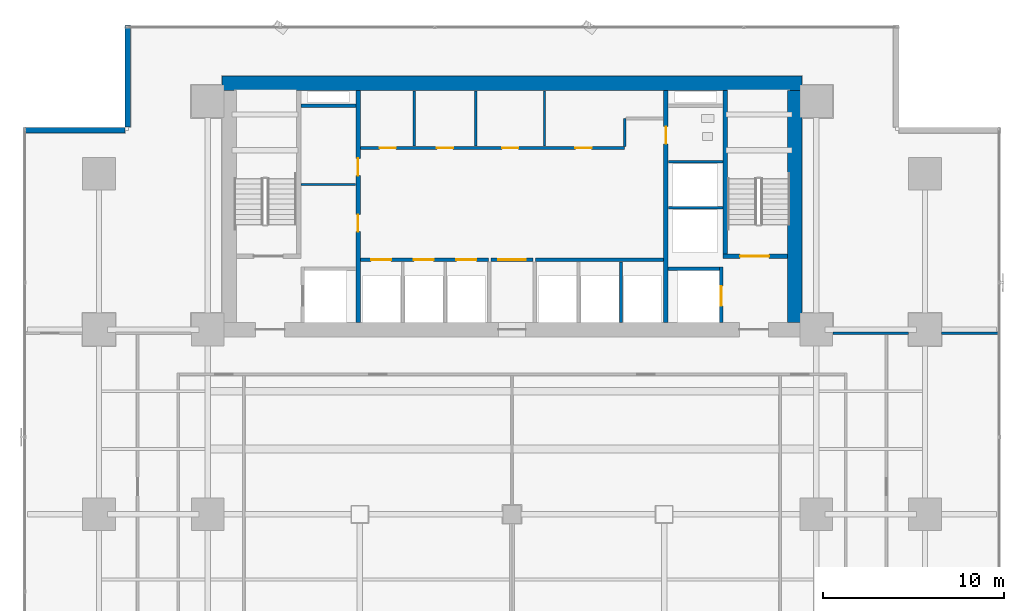
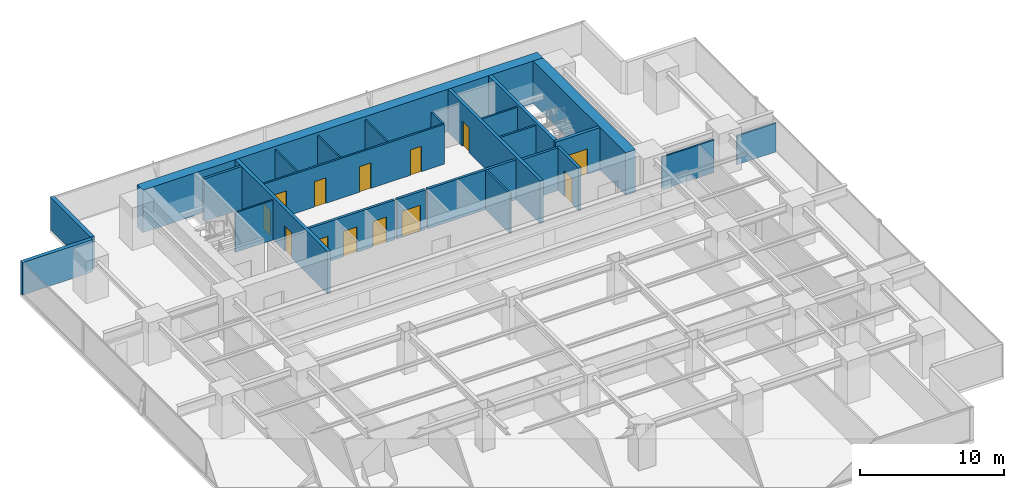
# One storey, part 26 of 34: 25 walls, 13 doors, 13 openings.
"""IFC4 building model written with IfcOpenShell, lengths in metres."""

import ifcopenshell
import ifcopenshell.guid

model = None  # the IFC model being written
_history = None  # IfcOwnerHistory: only IFC2X3 demands one
_inside = {}  # id of a spatial element -> (the spatial element, [elements in it])
_under = {}  # id of a project, library or spatial element -> (it, [spatial elements below it])
_declared = {}  # id of a project -> (the project, [libraries it declares])
_typed = {}  # id of a type object -> (the type object, [elements of that type])
_made_of = {}  # id of a material, layer set ... -> (it, [elements and type objects made of it])


def new_model(schema):
    """Start an empty IFC model of exactly this schema.

    Asked for "IFC4X3", IfcOpenShell would pick the latest addendum, in which some entities
    have other attributes; the version numbers below select the first issue.
    IFC2X3 requires an IfcOwnerHistory on every rooted entity: one is made here for all.
    """
    global model, _history
    if schema == "IFC4X3":
        model = ifcopenshell.file(schema_version=(4, 3, 0, 0))
    else:
        model = ifcopenshell.file(schema=schema)
    _inside.clear()
    _under.clear()
    _declared.clear()
    _typed.clear()
    _made_of.clear()
    _history = None
    if model.schema == "IFC2X3":
        org = make("IfcOrganization", Name="unknown")
        user = make(
            "IfcPersonAndOrganization",
            ThePerson=make("IfcPerson", FamilyName="unknown"),
            TheOrganization=org,
        )
        app = make(
            "IfcApplication",
            ApplicationDeveloper=org,
            Version="unknown",
            ApplicationFullName="unknown",
            ApplicationIdentifier="unknown",
        )
        _history = make(
            "IfcOwnerHistory",
            OwningUser=user,
            OwningApplication=app,
            ChangeAction="ADDED",
            CreationDate=0,
        )
    return model


def make(cls, **values):
    """One entity of the class cls with the attributes given. An attribute that is None is left unset."""
    return model.create_entity(
        cls, **{name: value for name, value in values.items() if value is not None}
    )


def rooted(cls, **values):
    """An entity with a GlobalId (a new one), such as an element, a storey or a relation."""
    return make(cls, GlobalId=ifcopenshell.guid.new(), OwnerHistory=_history, **values)


def si_unit(unit_type, name, prefix=None):
    """IfcSIUnit, for example si_unit("LENGTHUNIT", "METRE", prefix="MILLI")."""
    return make("IfcSIUnit", UnitType=unit_type, Prefix=prefix, Name=name)


def assignment(units):
    """IfcUnitAssignment: the units of a project."""
    return None if units is None else make("IfcUnitAssignment", Units=units)


def point(xyz):
    """IfcCartesianPoint."""
    return None if xyz is None else make("IfcCartesianPoint", Coordinates=xyz)


def direction(xyz):
    """IfcDirection."""
    return None if xyz is None else make("IfcDirection", DirectionRatios=xyz)


def frame(location, z_axis=None, x_axis=None):
    """IfcAxis2Placement3D, a coordinate frame: its origin and axes. An axis left out is left unset."""
    return make(
        "IfcAxis2Placement3D",
        Location=point(location),
        Axis=direction(z_axis),
        RefDirection=direction(x_axis),
    )


def frame_2d(location, x_axis=None):
    """IfcAxis2Placement2D, a coordinate frame in the plane: its origin and x axis."""
    return make(
        "IfcAxis2Placement2D", Location=point(location), RefDirection=direction(x_axis)
    )


def origin():
    """The frame at (0, 0, 0) with its axes left unset."""
    return frame((0.0, 0.0, 0.0))


def place(relative_to, where):
    """IfcLocalPlacement: puts the frame where relative to a parent placement (None: the world)."""
    return make(
        "IfcLocalPlacement", PlacementRelTo=relative_to, RelativePlacement=where
    )


def context(
    kind, dimensions, precision=None, world=None, true_north=None, identifier=None
):
    """IfcGeometricRepresentationContext, for example the 3D "Model" context."""
    return make(
        "IfcGeometricRepresentationContext",
        ContextIdentifier=identifier,
        ContextType=kind,
        CoordinateSpaceDimension=dimensions,
        Precision=precision,
        WorldCoordinateSystem=world,
        TrueNorth=true_north,
    )


def subcontext(parent, identifier, kind, view, scale=None):
    """IfcGeometricRepresentationSubContext, for example "Body" below "Model"."""
    return make(
        "IfcGeometricRepresentationSubContext",
        ContextIdentifier=identifier,
        ContextType=kind,
        ParentContext=parent,
        TargetScale=scale,
        TargetView=view,
    )


def project(units=None, contexts=None):
    """IfcProject with its units and contexts."""
    return rooted(
        "IfcProject",
        Name="project",
        RepresentationContexts=contexts,
        UnitsInContext=assignment(units),
    )


def spatial(cls, under=None, at=None, **own):
    """A site, building, storey or space (cls), placed at a placement, below another one or the project."""
    s = rooted(cls, ObjectPlacement=at, **own)
    if under is not None:
        _under.setdefault(under.id(), (under, []))[1].append(s)
    return s


def profile(cls, at=None, kind="AREA", **sizes):
    """A parametric profile (cls). Its sizes go by their IFC names, for example OverallWidth=200.0."""
    return make(cls, ProfileType=kind, Position=at, **sizes)


def rectangle(**sizes):
    """IfcRectangleProfileDef."""
    return profile("IfcRectangleProfileDef", **sizes)


def extrude(swept, where, along, depth):
    """IfcExtrudedAreaSolid: the profile swept, set in the frame where, extruded along a direction by depth."""
    return make(
        "IfcExtrudedAreaSolid",
        SweptArea=swept,
        Position=where,
        ExtrudedDirection=direction(along),
        Depth=depth,
    )


def shape(context_of_items, identifier, shape_type, items):
    """IfcShapeRepresentation: the items that make up one representation, for example the "Body"."""
    return make(
        "IfcShapeRepresentation",
        ContextOfItems=context_of_items,
        RepresentationIdentifier=identifier,
        RepresentationType=shape_type,
        Items=items,
    )


def source(mapping_origin, context_of_items, identifier, shape_type, items):
    """IfcRepresentationMap: a shape defined once, which mapped items show again and again."""
    return make(
        "IfcRepresentationMap",
        MappingOrigin=mapping_origin,
        MappedRepresentation=shape(context_of_items, identifier, shape_type, items),
    )


def transform(
    local_origin,
    x_axis=None,
    y_axis=None,
    z_axis=None,
    scale=None,
    scale2=None,
    scale3=None,
    uniform=True,
):
    """IfcCartesianTransformationOperator3D, or its non-uniform kind. x_axis, y_axis, z_axis: its Axis1, 2, 3."""
    if uniform:
        return make(
            "IfcCartesianTransformationOperator3D",
            Axis1=direction(x_axis),
            Axis2=direction(y_axis),
            LocalOrigin=point(local_origin),
            Scale=scale,
            Axis3=direction(z_axis),
        )
    return make(
        "IfcCartesianTransformationOperator3DnonUniform",
        Axis1=direction(x_axis),
        Axis2=direction(y_axis),
        LocalOrigin=point(local_origin),
        Scale=scale,
        Axis3=direction(z_axis),
        Scale2=scale2,
        Scale3=scale3,
    )


def mapped(mapping_source, mapping_target):
    """IfcMappedItem: shows the shape of a source again, moved by a transform."""
    return make(
        "IfcMappedItem", MappingSource=mapping_source, MappingTarget=mapping_target
    )


def material(Name=None, Category=None):
    """IfcMaterial."""
    return make("IfcMaterial", Name=Name, Category=Category)


def layer(
    of_material, thickness, ventilated=None, Name=None, Category=None, Priority=None
):
    """IfcMaterialLayer: one layer of a wall or slab, of a material (None: an air gap)."""
    return make(
        "IfcMaterialLayer",
        Material=of_material,
        LayerThickness=thickness,
        IsVentilated=ventilated,
        Name=Name,
        Category=Category,
        Priority=Priority,
    )


def layer_set(layers, Name=None):
    """IfcMaterialLayerSet."""
    return make("IfcMaterialLayerSet", MaterialLayers=layers, LayerSetName=Name)


def made_of(thing, what):
    """Note that an element or type object is made of a material, layer set ...; save() writes the relation."""
    if what is not None:
        _made_of.setdefault(what.id(), (what, []))[1].append(thing)
    return thing


def type_object(cls, material=None, **own):
    """A type object (cls), such as IfcWallType, which elements share."""
    return made_of(rooted(cls, **own), material)


def element(
    cls,
    number,
    at=None,
    inside=None,
    cuts=None,
    type_object=None,
    material=None,
    context=None,
    identifier="Body",
    shape_type=None,
    held_by="IfcProductDefinitionShape",
    body=None,
    shapes=None,
    **own,
):
    """One element of the class cls, such as IfcWall. Its Tag is "e" and its number.

    at: its placement. inside: the storey or other place that contains it. cuts: it is an
    opening in that element (IfcRelVoidsElement). A single representation is given by context,
    identifier, shape_type and body (its items); several are given by shapes. held_by: the class
    of the entity that holds the representations. save() writes the other relations.
    """
    e = rooted(cls, Tag="e%d" % number, ObjectPlacement=at, **own)
    if body is not None:
        shapes = [shape(context, identifier, shape_type, body)]
    if shapes is not None:
        e.Representation = make(held_by, Representations=shapes)
    if inside is not None:
        _inside.setdefault(inside.id(), (inside, []))[1].append(e)
    if cuts is not None:
        rooted(
            "IfcRelVoidsElement", RelatingBuildingElement=cuts, RelatedOpeningElement=e
        )
    if type_object is not None:
        _typed.setdefault(type_object.id(), (type_object, []))[1].append(e)
    return made_of(e, material)


def fill(opening, filler):
    """IfcRelFillsElement: the door or window that sits in an opening."""
    return rooted(
        "IfcRelFillsElement",
        RelatingOpeningElement=opening,
        RelatedBuildingElement=filler,
    )


def aggregate(whole, parts):
    """IfcRelAggregates: a whole, such as a stair, and the parts it consists of."""
    return rooted("IfcRelAggregates", RelatingObject=whole, RelatedObjects=parts)


def save(model, path):
    """Write the relations noted so far, then the file.

    IfcRelAggregates (storeys below a building ...), IfcRelContainedInSpatialStructure (elements
    in a storey), IfcRelDefinesByType, IfcRelAssociatesMaterial and IfcRelDeclares: one each for
    every whole, place, type object, material and project.
    """
    for whole, parts in _under.values():
        aggregate(whole, parts)
    for where, things in _inside.values():
        rooted(
            "IfcRelContainedInSpatialStructure",
            RelatedElements=things,
            RelatingStructure=where,
        )
    for kind, things in _typed.values():
        rooted("IfcRelDefinesByType", RelatedObjects=things, RelatingType=kind)
    for what, things in _made_of.values():
        rooted("IfcRelAssociatesMaterial", RelatedObjects=things, RelatingMaterial=what)
    for by, libraries in _declared.values():
        rooted("IfcRelDeclares", RelatingContext=by, RelatedDefinitions=libraries)
    model.write(path)


model = new_model("IFC4")

# Units and contexts
model_context = context("Model", 3, precision=1e-05, world=origin(), true_north=direction((0.0, 1.0)))
body_context = subcontext(model_context, "Body", "Model", "MODEL_VIEW")
ifc_project = project(units=[si_unit("LENGTHUNIT", "METRE"), si_unit("AREAUNIT", "SQUARE_METRE"), si_unit("VOLUMEUNIT", "CUBIC_METRE"), si_unit("PLANEANGLEUNIT", "RADIAN"), si_unit("MASSUNIT", "GRAM", prefix="KILO")], contexts=[model_context])

# Site, building, storey
site_placement = place(None, origin())
site = spatial("IfcSite", under=ifc_project, at=site_placement, CompositionType="ELEMENT")
building_placement = place(site_placement, origin())
building = spatial("IfcBuilding", under=site, at=building_placement, Name="Sumidabori Civic Tower", CompositionType="ELEMENT")
storey_placement = place(building_placement, frame((0.0, 0.0, 34.39990234375)))
storey = spatial("IfcBuildingStorey", under=building, at=storey_placement, Name="L08", CompositionType="ELEMENT", Elevation=34.39990234375)

# Walls
ifc_material_1 = material(Name="Concrete C60/75", Category="concrete")
ifc_layer_1 = layer(ifc_material_1, 0.800048828125, Name="Concrete C60/75")
ifc_layer_set_1 = layer_set([ifc_layer_1], Name="Concrete C60/75")
wall_type_1 = type_object("IfcWallType", Name="WL-CORE-800", PredefinedType="SHEAR", material=ifc_layer_set_1)
shared_shape_1 = source(origin(), body_context, "Body", "SweptSolid", [
    extrude(rectangle(XDim=32.0, YDim=0.800048828125, at=frame_2d((16.0, 0.0))), origin(), (0.0, 0.0, 1.0), 3.60009765625),
])
wall_1_placement = place(storey_placement, frame((-16.0, 23.800048828125, 0.0), z_axis=(0.0, 0.0, 1.0), x_axis=(1.0, 0.0, 0.0)))
element("IfcWall", 1, at=wall_1_placement, inside=storey, type_object=wall_type_1, Name="Core Shear Wall L08 N", PredefinedType="SHEAR", context=body_context, shape_type="MappedRepresentation", body=[
    mapped(shared_shape_1, transform((0.0, 0.0, 0.0), x_axis=(1.0, 0.0, 0.0), y_axis=(0.0, 1.0, 0.0), z_axis=(0.0, 0.0, 1.0), scale=1.0)),
])
shared_shape_2 = source(origin(), body_context, "Body", "SweptSolid", [
    extrude(rectangle(XDim=12.7998046875, YDim=0.800048828125, at=frame_2d((6.39990234375, 0.0))), origin(), (0.0, 0.0, 1.0), 3.60009765625),
])
wall_2_placement = place(storey_placement, frame((15.60009765625, 10.60009765625, 0.0), z_axis=(0.0, 0.0, 1.0), x_axis=(0.0, 1.0, 0.0)))
element("IfcWall", 2, at=wall_2_placement, inside=storey, type_object=wall_type_1, Name="Core Shear Wall L08 E", PredefinedType="SHEAR", context=body_context, shape_type="MappedRepresentation", body=[
    mapped(shared_shape_2, transform((0.0, 0.0, 0.0), x_axis=(1.0, 0.0, 0.0), y_axis=(0.0, 1.0, 0.0), z_axis=(0.0, 0.0, 1.0), scale=1.0)),
])

# Wall, openings, doors
ifc_material_2 = material(Name="Concrete C50/60", Category="concrete")
ifc_layer_2 = layer(ifc_material_2, 0.25, Name="Concrete C50/60")
ifc_layer_set_2 = layer_set([ifc_layer_2], Name="Concrete C50/60")
wall_type_2 = type_object("IfcWallType", Name="WL-SHAFT-250", PredefinedType="SHEAR", material=ifc_layer_set_2)
shared_shape_3 = source(origin(), body_context, "Body", "SweptSolid", [
    extrude(rectangle(XDim=12.7998046875, YDim=0.25, at=frame_2d((6.39990234375, 0.0))), origin(), (0.0, 0.0, 1.0), 3.60009765625),
])
wall_3_placement = place(storey_placement, frame((-8.5, 10.60009765625, 0.0), z_axis=(0.0, 0.0, 1.0), x_axis=(0.0, 1.0, 0.0)))
wall_3 = element("IfcWall", 3, at=wall_3_placement, inside=storey, type_object=wall_type_2, Name="Core Shear Wall L08 WEB-W", PredefinedType="SHEAR", context=body_context, shape_type="MappedRepresentation", body=[
    mapped(shared_shape_3, transform((0.0, 0.0, 0.0), x_axis=(1.0, 0.0, 0.0), y_axis=(0.0, 1.0, 0.0), z_axis=(0.0, 0.0, 1.0), scale=1.0)),
])
opening_1_placement = place(wall_3_placement, frame((5.0, 0.0, 0.0)))
opening_1 = element("IfcOpeningElement", 4, at=opening_1_placement, cuts=wall_3, Name="Opening DR-FD2", PredefinedType="OPENING", context=body_context, shape_type="SweptSolid", body=[
    extrude(rectangle(XDim=0.949951171875, YDim=2.14990234375, at=frame_2d((0.47509765625, 1.074951171875))), frame((0.0, 0.136962890625, 0.0), z_axis=(0.0, -1.0, 0.0), x_axis=(1.0, 0.0, 0.0)), (0.0, 0.0, 1.0), 0.27392578125),
])
opening_2_placement = place(wall_3_placement, frame((8.10009765625, 0.0, 0.0)))
opening_2 = element("IfcOpeningElement", 5, at=opening_2_placement, cuts=wall_3, Name="Opening DR-FD2", PredefinedType="OPENING", context=body_context, shape_type="SweptSolid", body=[
    extrude(rectangle(XDim=0.949951171875, YDim=2.14990234375, at=frame_2d((0.47509765625, 1.074951171875))), frame((0.0, 0.136962890625, 0.0), z_axis=(0.0, -1.0, 0.0), x_axis=(1.0, 0.0, 0.0)), (0.0, 0.0, 1.0), 0.27392578125),
])
ifc_material_3 = material(Name="Steel SN490", Category="steel")
door_type_1 = type_object("IfcDoorType", Name="DR-FD2", OperationType="NOTDEFINED", PredefinedType="DOOR", material=ifc_material_3)
shared_shape_4 = source(origin(), body_context, "Body", "SweptSolid", [
    extrude(rectangle(XDim=0.949951171875, YDim=2.14990234375, at=frame_2d((0.47509765625, 1.074951171875))), frame((0.0, 0.02490234375, 0.0), z_axis=(0.0, -1.0, 0.0), x_axis=(1.0, 0.0, 0.0)), (0.0, 0.0, 1.0), 0.050048828125),
])
door_1_placement = place(opening_1_placement, origin())
door_1 = element("IfcDoor", 6, at=door_1_placement, inside=storey, type_object=door_type_1, Name="Door DR:L08:CW-S1", OperationType="SINGLE_SWING_LEFT", OverallHeight=2.14990234375, OverallWidth=0.949951171875, PredefinedType="DOOR", context=body_context, shape_type="MappedRepresentation", body=[
    mapped(shared_shape_4, transform((0.0, 0.0, 0.0), x_axis=(1.0, 0.0, 0.0), y_axis=(0.0, 1.0, 0.0), z_axis=(0.0, 0.0, 1.0), scale=1.0)),
])
fill(opening_1, door_1)
door_2_placement = place(opening_2_placement, origin())
door_2 = element("IfcDoor", 7, at=door_2_placement, inside=storey, type_object=door_type_1, Name="Door DR:L08:CW-S2", OperationType="SINGLE_SWING_RIGHT", OverallHeight=2.14990234375, OverallWidth=0.949951171875, PredefinedType="DOOR", context=body_context, shape_type="MappedRepresentation", body=[
    mapped(shared_shape_4, transform((0.0, 0.0, 0.0), x_axis=(1.0, 0.0, 0.0), y_axis=(0.0, 1.0, 0.0), z_axis=(0.0, 0.0, 1.0), scale=1.0)),
])
fill(opening_2, door_2)

# Wall, opening, door
wall_4_placement = place(storey_placement, frame((8.5, 10.60009765625, 0.0), z_axis=(0.0, 0.0, 1.0), x_axis=(0.0, 1.0, 0.0)))
wall_4 = element("IfcWall", 8, at=wall_4_placement, inside=storey, type_object=wall_type_2, Name="Core Shear Wall L08 WEB-E", PredefinedType="SHEAR", context=body_context, shape_type="MappedRepresentation", body=[
    mapped(shared_shape_3, transform((0.0, 0.0, 0.0), x_axis=(1.0, 0.0, 0.0), y_axis=(0.0, 1.0, 0.0), z_axis=(0.0, 0.0, 1.0), scale=1.0)),
])
opening_3_placement = place(wall_4_placement, frame((9.85009765625, 0.0, 0.0)))
opening_3 = element("IfcOpeningElement", 9, at=opening_3_placement, cuts=wall_4, Name="Opening DR-2", PredefinedType="OPENING", context=body_context, shape_type="SweptSolid", body=[
    extrude(rectangle(XDim=0.949951171875, YDim=2.14990234375, at=frame_2d((0.47509765625, 1.074951171875))), frame((0.0, 0.136962890625, 0.0), z_axis=(0.0, -1.0, 0.0), x_axis=(1.0, 0.0, 0.0)), (0.0, 0.0, 1.0), 0.27392578125),
])
ifc_material_4 = material(Name="Japanese Hinoki Timber", Category="wood")
door_type_2 = type_object("IfcDoorType", Name="DR-INT-950", OperationType="NOTDEFINED", PredefinedType="DOOR", material=ifc_material_4)
shared_shape_5 = source(origin(), body_context, "Body", "SweptSolid", [
    extrude(rectangle(XDim=0.949951171875, YDim=2.14990234375, at=frame_2d((0.47509765625, 1.074951171875))), frame((0.0, 0.02490234375, 0.0), z_axis=(0.0, -1.0, 0.0), x_axis=(1.0, 0.0, 0.0)), (0.0, 0.0, 1.0), 0.050048828125),
])
door_3_placement = place(opening_3_placement, origin())
door_3 = element("IfcDoor", 10, at=door_3_placement, inside=storey, type_object=door_type_2, Name="Door DR:L08:WC-ACC", OperationType="SINGLE_SWING_RIGHT", OverallHeight=2.14990234375, OverallWidth=0.949951171875, PredefinedType="DOOR", context=body_context, shape_type="MappedRepresentation", body=[
    mapped(shared_shape_5, transform((0.0, 0.0, 0.0), x_axis=(1.0, 0.0, 0.0), y_axis=(0.0, 1.0, 0.0), z_axis=(0.0, 0.0, 1.0), scale=1.0)),
])
fill(opening_3, door_3)

shared_shape_6 = source(origin(), body_context, "Body", "SweptSolid", [
    extrude(rectangle(XDim=3.554931640625, YDim=0.25, at=frame_2d((1.77734375, 0.0))), origin(), (0.0, 0.0, 1.0), 3.60009765625),
])
wall_5_placement = place(storey_placement, frame((11.64501953125, 14.25, 0.0), z_axis=(0.0, 0.0, 1.0), x_axis=(1.0, 0.0, 0.0)))
wall_5 = element("IfcWall", 11, at=wall_5_placement, inside=storey, type_object=wall_type_2, Name="Core Shear Wall L08 ST2-S", PredefinedType="SHEAR", context=body_context, shape_type="MappedRepresentation", body=[
    mapped(shared_shape_6, transform((0.0, 0.0, 0.0), x_axis=(1.0, 0.0, 0.0), y_axis=(0.0, 1.0, 0.0), z_axis=(0.0, 0.0, 1.0), scale=1.0)),
])
opening_4_placement = place(wall_5_placement, frame((0.949951171875, 0.0, 0.0)))
opening_4 = element("IfcOpeningElement", 12, at=opening_4_placement, cuts=wall_5, Name="Opening DR-FD4", PredefinedType="OPENING", context=body_context, shape_type="SweptSolid", body=[
    extrude(rectangle(XDim=1.60009765625, YDim=2.14990234375, at=frame_2d((0.800048828125, 1.074951171875))), frame((0.0, 0.136962890625, 0.0), z_axis=(0.0, -1.0, 0.0), x_axis=(1.0, 0.0, 0.0)), (0.0, 0.0, 1.0), 0.27392578125),
])
door_type_3 = type_object("IfcDoorType", Name="DR-FD4", OperationType="DOUBLE_DOOR_SINGLE_SWING", PredefinedType="DOOR", material=ifc_material_3)
shared_shape_7 = source(origin(), body_context, "Body", "SweptSolid", [
    extrude(rectangle(XDim=1.60009765625, YDim=2.14990234375, at=frame_2d((0.800048828125, 1.074951171875))), frame((0.0, 0.02490234375, 0.0), z_axis=(0.0, -1.0, 0.0), x_axis=(1.0, 0.0, 0.0)), (0.0, 0.0, 1.0), 0.050048828125),
])
door_4_placement = place(opening_4_placement, origin())
door_4 = element("IfcDoor", 13, at=door_4_placement, inside=storey, type_object=door_type_3, Name="Door DR:L08:ST2", OperationType="DOUBLE_DOOR_SINGLE_SWING", OverallHeight=2.14990234375, OverallWidth=1.60009765625, PredefinedType="DOOR", context=body_context, shape_type="MappedRepresentation", body=[
    mapped(shared_shape_7, transform((0.0, 0.0, 0.0), x_axis=(1.0, 0.0, 0.0), y_axis=(0.0, 1.0, 0.0), z_axis=(0.0, 0.0, 1.0), scale=1.0)),
])
fill(opening_4, door_4)

# Wall
shared_shape_8 = source(origin(), body_context, "Body", "SweptSolid", [
    extrude(rectangle(XDim=9.02490234375, YDim=0.25, at=frame_2d((4.512451171875, 0.0))), origin(), (0.0, 0.0, 1.0), 3.60009765625),
])
wall_6_placement = place(storey_placement, frame((11.77001953125, 14.375, 0.0), z_axis=(0.0, 0.0, 1.0), x_axis=(0.0, 1.0, 0.0)))
element("IfcWall", 14, at=wall_6_placement, inside=storey, type_object=wall_type_2, Name="Core Shear Wall L08 ST2-W", PredefinedType="SHEAR", context=body_context, shape_type="MappedRepresentation", body=[
    mapped(shared_shape_8, transform((0.0, 0.0, 0.0), x_axis=(1.0, 0.0, 0.0), y_axis=(0.0, 1.0, 0.0), z_axis=(0.0, 0.0, 1.0), scale=1.0)),
])

# Wall, opening, door
ifc_layer_3 = layer(ifc_material_2, 0.199951171875, Name="Concrete C50/60")
ifc_layer_set_3 = layer_set([ifc_layer_3], Name="Concrete C50/60")
wall_type_3 = type_object("IfcWallType", Name="WL-SHAFT-200", PredefinedType="SHEAR", material=ifc_layer_set_3)
shared_shape_9 = source(origin(), body_context, "Body", "SweptSolid", [
    extrude(rectangle(XDim=3.0498046875, YDim=0.199951171875, at=frame_2d((1.52490234375, 0.0))), origin(), (0.0, 0.0, 1.0), 3.60009765625),
])
wall_7_placement = place(storey_placement, frame((11.550048828125, 10.60009765625, 0.0), z_axis=(0.0, 0.0, 1.0), x_axis=(0.0, 1.0, 0.0)))
wall_7 = element("IfcWall", 15, at=wall_7_placement, inside=storey, type_object=wall_type_3, Name="Core Shear Wall L08 EL2-E", PredefinedType="SHEAR", context=body_context, shape_type="MappedRepresentation", body=[
    mapped(shared_shape_9, transform((0.0, 0.0, 0.0), x_axis=(1.0, 0.0, 0.0), y_axis=(0.0, 1.0, 0.0), z_axis=(0.0, 0.0, 1.0), scale=1.0)),
])
opening_5_placement = place(wall_7_placement, frame((0.89990234375, 0.0, 0.0)))
opening_5 = element("IfcOpeningElement", 16, at=opening_5_placement, cuts=wall_7, Name="Opening LD-2", PredefinedType="OPENING", context=body_context, shape_type="SweptSolid", body=[
    extrude(rectangle(XDim=1.10009765625, YDim=2.14990234375, at=frame_2d((0.550048828125, 1.074951171875))), frame((0.0, 0.11181640625, 0.0), z_axis=(0.0, -1.0, 0.0), x_axis=(1.0, 0.0, 0.0)), (0.0, 0.0, 1.0), 0.223876953125),
])
ifc_material_5 = material(Name="Stainless Steel Hairline Finish", Category="steel")
door_type_4 = type_object("IfcDoorType", Name="DR-LD2", OperationType="DOUBLE_DOOR_SLIDING", PredefinedType="DOOR", material=ifc_material_5)
shared_shape_10 = source(origin(), body_context, "Body", "SweptSolid", [
    extrude(rectangle(XDim=1.10009765625, YDim=2.14990234375, at=frame_2d((0.550048828125, 1.074951171875))), frame((0.0, 0.02490234375, 0.0), z_axis=(0.0, -1.0, 0.0), x_axis=(1.0, 0.0, 0.0)), (0.0, 0.0, 1.0), 0.050048828125),
])
door_5_placement = place(opening_5_placement, origin())
door_5 = element("IfcDoor", 17, at=door_5_placement, inside=storey, type_object=door_type_4, Name="Door DR:L08:LD-EL2", OperationType="DOUBLE_DOOR_SLIDING", OverallHeight=2.14990234375, OverallWidth=1.10009765625, PredefinedType="DOOR", context=body_context, shape_type="MappedRepresentation", body=[
    mapped(shared_shape_10, transform((0.0, 0.0, 0.0), x_axis=(1.0, 0.0, 0.0), y_axis=(0.0, 1.0, 0.0), z_axis=(0.0, 0.0, 1.0), scale=1.0)),
])
fill(opening_5, door_5)

# Walls
shared_shape_11 = source(origin(), body_context, "Body", "SweptSolid", [
    extrude(rectangle(XDim=2.824951171875, YDim=0.199951171875, at=frame_2d((1.41259765625, 0.0))), origin(), (0.0, 0.0, 1.0), 3.60009765625),
])
wall_8_placement = place(storey_placement, frame((8.625, 13.550048828125, 0.0), z_axis=(0.0, 0.0, 1.0), x_axis=(1.0, 0.0, 0.0)))
element("IfcWall", 18, at=wall_8_placement, inside=storey, type_object=wall_type_3, Name="Core Shear Wall L08 EL2-N", PredefinedType="SHEAR", context=body_context, shape_type="MappedRepresentation", body=[
    mapped(shared_shape_11, transform((0.0, 0.0, 0.0), x_axis=(1.0, 0.0, 0.0), y_axis=(0.0, 1.0, 0.0), z_axis=(0.0, 0.0, 1.0), scale=1.0)),
])
shared_shape_12 = source(origin(), body_context, "Body", "SweptSolid", [
    extrude(rectangle(XDim=3.02001953125, YDim=0.199951171875, at=frame_2d((1.510009765625, 0.0))), origin(), (0.0, 0.0, 1.0), 3.60009765625),
])
wall_9_placement = place(storey_placement, frame((-11.64501953125, 22.550048828125, 0.0), z_axis=(0.0, 0.0, 1.0), x_axis=(1.0, 0.0, 0.0)))
element("IfcWall", 19, at=wall_9_placement, inside=storey, type_object=wall_type_3, Name="Core Shear Wall L08 RIS1-S", PredefinedType="SHEAR", context=body_context, shape_type="MappedRepresentation", body=[
    mapped(shared_shape_12, transform((0.0, 0.0, 0.0), x_axis=(1.0, 0.0, 0.0), y_axis=(0.0, 1.0, 0.0), z_axis=(0.0, 0.0, 1.0), scale=1.0)),
])
ifc_material_6 = material(Name="Precast concrete C40/50", Category="concrete")
ifc_layer_4 = layer(ifc_material_6, 0.300048828125, Name="Precast concrete C40/50")
ifc_layer_set_4 = layer_set([ifc_layer_4], Name="Precast concrete C40/50")
wall_type_4 = type_object("IfcWallType", Name="WL-EXT-POD300", PredefinedType="STANDARD", material=ifc_layer_set_4)
shared_shape_13 = source(origin(), body_context, "Body", "SweptSolid", [
    extrude(rectangle(XDim=5.60986328125, YDim=0.300048828125, at=frame_2d((2.804931640625, 0.0))), origin(), (0.0, 0.0, 1.0), 2.739990234375),
])
for number, where, z_axis, x_axis, name in (
    (20, (-21.199951171875, 26.97998046875, 0.0), (0.0, 0.0, 1.0), (0.0, -1.0, 0.0), "Notched Corner Spandrel Band L08-08"),
    (21, (-21.3701171875, 21.199951171875, 0.0), (0.0, 0.0, 1.0), (-1.0, 0.0, 0.0), "Notched Corner Spandrel Band L08-09"),
):
    element("IfcWall", number, at=place(storey_placement, frame(where, z_axis=z_axis, x_axis=x_axis)), inside=storey, type_object=wall_type_4, Name=name, PredefinedType="STANDARD", context=body_context, shape_type="MappedRepresentation", body=[
        mapped(shared_shape_13, transform((0.0, 0.0, 0.0), x_axis=(1.0, 0.0, 0.0), y_axis=(0.0, 1.0, 0.0), z_axis=(0.0, 0.0, 1.0), scale=1.0)),
    ])
ifc_material_7 = material(Name="Gypsum Plasterboard Acoustic Partition")
ifc_layer_5 = layer(ifc_material_7, 0.14990234375, Name="Gypsum Plasterboard Acoustic Partition")
ifc_layer_set_5 = layer_set([ifc_layer_5], Name="Gypsum Plasterboard Acoustic Partition")
wall_type_5 = type_object("IfcWallType", Name="WL-PART-150", PredefinedType="PARTITIONING", material=ifc_layer_set_5)
shared_shape_14 = source(origin(), body_context, "Body", "SweptSolid", [
    extrude(rectangle(XDim=3.010009765625, YDim=0.14990234375, at=frame_2d((1.5048828125, 0.0))), origin(), (0.0, 0.0, 1.0), 3.360107421875),
])
for number, where, z_axis, x_axis, name in (
    (22, (8.6298828125, 16.919921875, 0.0), (0.0, 0.0, 1.0), (1.0, 0.0, 0.0), "Interior Partition WL:L08:DIV-OBS1"),
    (23, (8.6298828125, 19.469970703125, 0.0), (0.0, 0.0, 1.0), (1.0, 0.0, 0.0), "Interior Partition WL:L08:DIV-OBS2"),
):
    element("IfcWall", number, at=place(storey_placement, frame(where, z_axis=z_axis, x_axis=x_axis)), inside=storey, type_object=wall_type_5, Name=name, PredefinedType="PARTITIONING", context=body_context, shape_type="MappedRepresentation", body=[
        mapped(shared_shape_14, transform((0.0, 0.0, 0.0), x_axis=(1.0, 0.0, 0.0), y_axis=(0.0, 1.0, 0.0), z_axis=(0.0, 0.0, 1.0), scale=1.0)),
    ])

# Wall, openings, doors
ifc_material_8 = material(Name="Gypsum Plasterboard Fire Partition")
ifc_layer_6 = layer(ifc_material_8, 0.199951171875, Name="Gypsum Plasterboard Fire Partition")
ifc_layer_set_6 = layer_set([ifc_layer_6], Name="Gypsum Plasterboard Fire Partition")
wall_type_6 = type_object("IfcWallType", Name="WL-PART-FIRE", PredefinedType="PARTITIONING", material=ifc_layer_set_6)
shared_shape_15 = source(origin(), body_context, "Body", "SweptSolid", [
    extrude(rectangle(XDim=7.070068359375, YDim=0.199951171875, at=frame_2d((3.53515625, 0.0))), origin(), (0.0, 0.0, 1.0), 3.360107421875),
])
wall_10_placement = place(storey_placement, frame((-8.3701171875, 14.050048828125, 0.0), z_axis=(0.0, 0.0, 1.0), x_axis=(1.0, 0.0, 0.0)))
wall_10 = element("IfcWall", 24, at=wall_10_placement, inside=storey, type_object=wall_type_6, Name="Interior Partition WL:L08:CBAND-SW", PredefinedType="PARTITIONING", context=body_context, shape_type="MappedRepresentation", body=[
    mapped(shared_shape_15, transform((0.0, 0.0, 0.0), x_axis=(1.0, 0.0, 0.0), y_axis=(0.0, 1.0, 0.0), z_axis=(0.0, 0.0, 1.0), scale=1.0)),
])
opening_6_placement = place(wall_10_placement, frame((0.60009765625, 0.0, 0.0)))
opening_6 = element("IfcOpeningElement", 25, at=opening_6_placement, cuts=wall_10, Name="Opening LD-1", PredefinedType="OPENING", context=body_context, shape_type="SweptSolid", body=[
    extrude(rectangle(XDim=1.10009765625, YDim=2.14990234375, at=frame_2d((0.550048828125, 1.074951171875))), frame((0.0, 0.11181640625, 0.0), z_axis=(0.0, -1.0, 0.0), x_axis=(1.0, 0.0, 0.0)), (0.0, 0.0, 1.0), 0.223876953125),
])
opening_7_placement = place(wall_10_placement, frame((2.949951171875, 0.0, 0.0)))
opening_7 = element("IfcOpeningElement", 26, at=opening_7_placement, cuts=wall_10, Name="Opening LD-1", PredefinedType="OPENING", context=body_context, shape_type="SweptSolid", body=[
    extrude(rectangle(XDim=1.10009765625, YDim=2.14990234375, at=frame_2d((0.550048828125, 1.074951171875))), frame((0.0, 0.11181640625, 0.0), z_axis=(0.0, -1.0, 0.0), x_axis=(1.0, 0.0, 0.0)), (0.0, 0.0, 1.0), 0.223876953125),
])
opening_8_placement = place(wall_10_placement, frame((5.300048828125, 0.0, 0.0)))
opening_8 = element("IfcOpeningElement", 27, at=opening_8_placement, cuts=wall_10, Name="Opening LD-1", PredefinedType="OPENING", context=body_context, shape_type="SweptSolid", body=[
    extrude(rectangle(XDim=1.10009765625, YDim=2.14990234375, at=frame_2d((0.550048828125, 1.074951171875))), frame((0.0, 0.11181640625, 0.0), z_axis=(0.0, -1.0, 0.0), x_axis=(1.0, 0.0, 0.0)), (0.0, 0.0, 1.0), 0.223876953125),
])
door_type_5 = type_object("IfcDoorType", Name="DR-LD1", OperationType="DOUBLE_DOOR_SLIDING", PredefinedType="DOOR", material=ifc_material_5)
door_6_placement = place(opening_6_placement, origin())
door_6 = element("IfcDoor", 28, at=door_6_placement, inside=storey, type_object=door_type_5, Name="Door DR:L08:LD-PLL1", OperationType="DOUBLE_DOOR_SLIDING", OverallHeight=2.14990234375, OverallWidth=1.10009765625, PredefinedType="DOOR", context=body_context, shape_type="MappedRepresentation", body=[
    mapped(shared_shape_10, transform((0.0, 0.0, 0.0), x_axis=(1.0, 0.0, 0.0), y_axis=(0.0, 1.0, 0.0), z_axis=(0.0, 0.0, 1.0), scale=1.0)),
])
fill(opening_6, door_6)
door_7_placement = place(opening_7_placement, origin())
door_7 = element("IfcDoor", 29, at=door_7_placement, inside=storey, type_object=door_type_5, Name="Door DR:L08:LD-PLL2", OperationType="DOUBLE_DOOR_SLIDING", OverallHeight=2.14990234375, OverallWidth=1.10009765625, PredefinedType="DOOR", context=body_context, shape_type="MappedRepresentation", body=[
    mapped(shared_shape_10, transform((0.0, 0.0, 0.0), x_axis=(1.0, 0.0, 0.0), y_axis=(0.0, 1.0, 0.0), z_axis=(0.0, 0.0, 1.0), scale=1.0)),
])
fill(opening_7, door_7)
door_8_placement = place(opening_8_placement, origin())
door_8 = element("IfcDoor", 30, at=door_8_placement, inside=storey, type_object=door_type_5, Name="Door DR:L08:LD-PLL3", OperationType="DOUBLE_DOOR_SLIDING", OverallHeight=2.14990234375, OverallWidth=1.10009765625, PredefinedType="DOOR", context=body_context, shape_type="MappedRepresentation", body=[
    mapped(shared_shape_10, transform((0.0, 0.0, 0.0), x_axis=(1.0, 0.0, 0.0), y_axis=(0.0, 1.0, 0.0), z_axis=(0.0, 0.0, 1.0), scale=1.0)),
])
fill(opening_8, door_8)

# Wall
wall_11_placement = place(storey_placement, frame((1.300048828125, 14.050048828125, 0.0), z_axis=(0.0, 0.0, 1.0), x_axis=(1.0, 0.0, 0.0)))
element("IfcWall", 31, at=wall_11_placement, inside=storey, type_object=wall_type_6, Name="Interior Partition WL:L08:CBAND-SE", PredefinedType="PARTITIONING", context=body_context, shape_type="MappedRepresentation", body=[
    mapped(shared_shape_15, transform((0.0, 0.0, 0.0), x_axis=(1.0, 0.0, 0.0), y_axis=(0.0, 1.0, 0.0), z_axis=(0.0, 0.0, 1.0), scale=1.0)),
])

# Wall, opening, door
shared_shape_16 = source(origin(), body_context, "Body", "SweptSolid", [
    extrude(rectangle(XDim=2.2998046875, YDim=0.199951171875, at=frame_2d((1.14990234375, 0.0))), origin(), (0.0, 0.0, 1.0), 3.360107421875),
])
wall_12_placement = place(storey_placement, frame((-1.14990234375, 14.050048828125, 0.0), z_axis=(0.0, 0.0, 1.0), x_axis=(1.0, 0.0, 0.0)))
wall_12 = element("IfcWall", 32, at=wall_12_placement, inside=storey, type_object=wall_type_6, Name="Interior Partition WL:L08:THROAT-N", PredefinedType="PARTITIONING", context=body_context, shape_type="MappedRepresentation", body=[
    mapped(shared_shape_16, transform((0.0, 0.0, 0.0), x_axis=(1.0, 0.0, 0.0), y_axis=(0.0, 1.0, 0.0), z_axis=(0.0, 0.0, 1.0), scale=1.0)),
])
opening_9_placement = place(wall_12_placement, frame((0.39990234375, 0.0, 0.0)))
opening_9 = element("IfcOpeningElement", 33, at=opening_9_placement, cuts=wall_12, Name="Opening DR-FD3", PredefinedType="OPENING", context=body_context, shape_type="SweptSolid", body=[
    extrude(rectangle(XDim=1.5, YDim=2.199951171875, at=frame_2d((0.75, 1.10009765625))), frame((0.0, 0.11181640625, 0.0), z_axis=(0.0, -1.0, 0.0), x_axis=(1.0, 0.0, 0.0)), (0.0, 0.0, 1.0), 0.223876953125),
])
door_type_6 = type_object("IfcDoorType", Name="DR-FD-DBL", OperationType="DOUBLE_DOOR_SINGLE_SWING", PredefinedType="DOOR", material=ifc_material_3)
shared_shape_17 = source(origin(), body_context, "Body", "SweptSolid", [
    extrude(rectangle(XDim=1.5, YDim=2.199951171875, at=frame_2d((0.75, 1.10009765625))), frame((0.0, 0.02490234375, 0.0), z_axis=(0.0, -1.0, 0.0), x_axis=(1.0, 0.0, 0.0)), (0.0, 0.0, 1.0), 0.050048828125),
])
door_9_placement = place(opening_9_placement, origin())
door_9 = element("IfcDoor", 34, at=door_9_placement, inside=storey, type_object=door_type_6, Name="Door DR:L08:THROAT-IN", OperationType="DOUBLE_DOOR_SINGLE_SWING", OverallHeight=2.199951171875, OverallWidth=1.5, PredefinedType="DOOR", context=body_context, shape_type="MappedRepresentation", body=[
    mapped(shared_shape_17, transform((0.0, 0.0, 0.0), x_axis=(1.0, 0.0, 0.0), y_axis=(0.0, 1.0, 0.0), z_axis=(0.0, 0.0, 1.0), scale=1.0)),
])
fill(opening_9, door_9)

# Wall, openings, doors
shared_shape_18 = source(origin(), body_context, "Body", "SweptSolid", [
    extrude(rectangle(XDim=14.590087890625, YDim=0.14990234375, at=frame_2d((7.294921875, 0.0))), origin(), (0.0, 0.0, 1.0), 3.360107421875),
])
wall_13_placement = place(storey_placement, frame((-8.3701171875, 20.219970703125, 0.0), z_axis=(0.0, 0.0, 1.0), x_axis=(1.0, 0.0, 0.0)))
wall_13 = element("IfcWall", 35, at=wall_13_placement, inside=storey, type_object=wall_type_5, Name="Interior Partition WL:L08:CBAND-M", PredefinedType="PARTITIONING", context=body_context, shape_type="MappedRepresentation", body=[
    mapped(shared_shape_18, transform((0.0, 0.0, 0.0), x_axis=(1.0, 0.0, 0.0), y_axis=(0.0, 1.0, 0.0), z_axis=(0.0, 0.0, 1.0), scale=1.0)),
])
opening_10_placement = place(wall_13_placement, frame((1.06005859375, 0.0, 0.0)))
opening_10 = element("IfcOpeningElement", 36, at=opening_10_placement, cuts=wall_13, Name="Opening DR-1", PredefinedType="OPENING", context=body_context, shape_type="SweptSolid", body=[
    extrude(rectangle(XDim=0.89990234375, YDim=2.14990234375, at=frame_2d((0.449951171875, 1.074951171875))), frame((0.0, 0.0869140625, 0.0), z_axis=(0.0, -1.0, 0.0), x_axis=(1.0, 0.0, 0.0)), (0.0, 0.0, 1.0), 0.173828125),
])
opening_11_placement = place(wall_13_placement, frame((4.219970703125, 0.0, 0.0)))
opening_11 = element("IfcOpeningElement", 37, at=opening_11_placement, cuts=wall_13, Name="Opening DR-1", PredefinedType="OPENING", context=body_context, shape_type="SweptSolid", body=[
    extrude(rectangle(XDim=0.89990234375, YDim=2.14990234375, at=frame_2d((0.449951171875, 1.074951171875))), frame((0.0, 0.0869140625, 0.0), z_axis=(0.0, -1.0, 0.0), x_axis=(1.0, 0.0, 0.0)), (0.0, 0.0, 1.0), 0.173828125),
])
opening_12_placement = place(wall_13_placement, frame((7.820068359375, 0.0, 0.0)))
opening_12 = element("IfcOpeningElement", 38, at=opening_12_placement, cuts=wall_13, Name="Opening DR-1", PredefinedType="OPENING", context=body_context, shape_type="SweptSolid", body=[
    extrude(rectangle(XDim=0.89990234375, YDim=2.14990234375, at=frame_2d((0.449951171875, 1.074951171875))), frame((0.0, 0.0869140625, 0.0), z_axis=(0.0, -1.0, 0.0), x_axis=(1.0, 0.0, 0.0)), (0.0, 0.0, 1.0), 0.173828125),
])
opening_13_placement = place(wall_13_placement, frame((11.8701171875, 0.0, 0.0)))
opening_13 = element("IfcOpeningElement", 39, at=opening_13_placement, cuts=wall_13, Name="Opening DR-1", PredefinedType="OPENING", context=body_context, shape_type="SweptSolid", body=[
    extrude(rectangle(XDim=0.89990234375, YDim=2.14990234375, at=frame_2d((0.449951171875, 1.074951171875))), frame((0.0, 0.0869140625, 0.0), z_axis=(0.0, -1.0, 0.0), x_axis=(1.0, 0.0, 0.0)), (0.0, 0.0, 1.0), 0.173828125),
])
door_type_7 = type_object("IfcDoorType", Name="DR-INT-900", OperationType="NOTDEFINED", PredefinedType="DOOR", material=ifc_material_4)
shared_shape_19 = source(origin(), body_context, "Body", "SweptSolid", [
    extrude(rectangle(XDim=0.89990234375, YDim=2.14990234375, at=frame_2d((0.449951171875, 1.074951171875))), frame((0.0, 0.02490234375, 0.0), z_axis=(0.0, -1.0, 0.0), x_axis=(1.0, 0.0, 0.0)), (0.0, 0.0, 1.0), 0.050048828125),
])
door_10_placement = place(opening_10_placement, origin())
door_10 = element("IfcDoor", 40, at=door_10_placement, inside=storey, type_object=door_type_7, Name="Door DR:L08:CB-1", OperationType="SINGLE_SWING_LEFT", OverallHeight=2.14990234375, OverallWidth=0.89990234375, PredefinedType="DOOR", context=body_context, shape_type="MappedRepresentation", body=[
    mapped(shared_shape_19, transform((0.0, 0.0, 0.0), x_axis=(1.0, 0.0, 0.0), y_axis=(0.0, 1.0, 0.0), z_axis=(0.0, 0.0, 1.0), scale=1.0)),
])
fill(opening_10, door_10)
door_11_placement = place(opening_11_placement, origin())
door_11 = element("IfcDoor", 41, at=door_11_placement, inside=storey, type_object=door_type_7, Name="Door DR:L08:CB-2", OperationType="SINGLE_SWING_RIGHT", OverallHeight=2.14990234375, OverallWidth=0.89990234375, PredefinedType="DOOR", context=body_context, shape_type="MappedRepresentation", body=[
    mapped(shared_shape_19, transform((0.0, 0.0, 0.0), x_axis=(1.0, 0.0, 0.0), y_axis=(0.0, 1.0, 0.0), z_axis=(0.0, 0.0, 1.0), scale=1.0)),
])
fill(opening_11, door_11)
door_12_placement = place(opening_12_placement, origin())
door_12 = element("IfcDoor", 42, at=door_12_placement, inside=storey, type_object=door_type_7, Name="Door DR:L08:CB-3", OperationType="SINGLE_SWING_LEFT", OverallHeight=2.14990234375, OverallWidth=0.89990234375, PredefinedType="DOOR", context=body_context, shape_type="MappedRepresentation", body=[
    mapped(shared_shape_19, transform((0.0, 0.0, 0.0), x_axis=(1.0, 0.0, 0.0), y_axis=(0.0, 1.0, 0.0), z_axis=(0.0, 0.0, 1.0), scale=1.0)),
])
fill(opening_12, door_12)
door_13_placement = place(opening_13_placement, origin())
door_13 = element("IfcDoor", 43, at=door_13_placement, inside=storey, type_object=door_type_7, Name="Door DR:L08:CB-4", OperationType="SINGLE_SWING_RIGHT", OverallHeight=2.14990234375, OverallWidth=0.89990234375, PredefinedType="DOOR", context=body_context, shape_type="MappedRepresentation", body=[
    mapped(shared_shape_19, transform((0.0, 0.0, 0.0), x_axis=(1.0, 0.0, 0.0), y_axis=(0.0, 1.0, 0.0), z_axis=(0.0, 0.0, 1.0), scale=1.0)),
])
fill(opening_13, door_13)

# Walls
shared_shape_20 = source(origin(), body_context, "Body", "SweptSolid", [
    extrude(rectangle(XDim=1.550048828125, YDim=0.14990234375, at=frame_2d((0.77490234375, 0.0))), origin(), (0.0, 0.0, 1.0), 3.360107421875),
])
wall_14_placement = place(storey_placement, frame((6.219970703125, 20.300048828125, 0.0), z_axis=(0.0, 0.0, 1.0), x_axis=(0.0, 1.0, 0.0)))
element("IfcWall", 44, at=wall_14_placement, inside=storey, type_object=wall_type_5, Name="Interior Partition WL:L08:CBAND-ME1", PredefinedType="PARTITIONING", context=body_context, shape_type="MappedRepresentation", body=[
    mapped(shared_shape_20, transform((0.0, 0.0, 0.0), x_axis=(1.0, 0.0, 0.0), y_axis=(0.0, 1.0, 0.0), z_axis=(0.0, 0.0, 1.0), scale=1.0)),
])
shared_shape_21 = source(origin(), body_context, "Body", "SweptSolid", [
    extrude(rectangle(XDim=3.33984375, YDim=0.14990234375, at=frame_2d((1.669921875, 0.0))), origin(), (0.0, 0.0, 1.0), 3.360107421875),
])
wall_15_placement = place(storey_placement, frame((6.02001953125, 10.60009765625, 0.0), z_axis=(0.0, 0.0, 1.0), x_axis=(0.0, 1.0, 0.0)))
element("IfcWall", 45, at=wall_15_placement, inside=storey, type_object=wall_type_5, Name="Interior Partition WL:L08:DIV-PLM2", PredefinedType="PARTITIONING", context=body_context, shape_type="MappedRepresentation", body=[
    mapped(shared_shape_21, transform((0.0, 0.0, 0.0), x_axis=(1.0, 0.0, 0.0), y_axis=(0.0, 1.0, 0.0), z_axis=(0.0, 0.0, 1.0), scale=1.0)),
])
ifc_layer_7 = layer(ifc_material_7, 0.1201171875, Name="Gypsum Plasterboard Acoustic Partition")
ifc_layer_set_7 = layer_set([ifc_layer_7], Name="Gypsum Plasterboard Acoustic Partition")
wall_type_7 = type_object("IfcWallType", Name="WL-PART-120", PredefinedType="PARTITIONING", material=ifc_layer_set_7)
shared_shape_22 = source(origin(), body_context, "Body", "SweptSolid", [
    extrude(rectangle(XDim=3.0400390625, YDim=0.1201171875, at=frame_2d((1.52001953125, 0.0))), origin(), (0.0, 0.0, 1.0), 3.360107421875),
])
for number, where, z_axis, x_axis, name in (
    (46, (-5.39990234375, 20.320068359375, 0.0), (0.0, 0.0, 1.0), (0.0, 1.0, 0.0), "Interior Partition WL:L08:LV8-S1"),
    (47, (-2.0, 20.320068359375, 0.0), (0.0, 0.0, 1.0), (0.0, 1.0, 0.0), "Interior Partition WL:L08:LV8-S2"),
    (48, (1.800048828125, 20.320068359375, 0.0), (0.0, 0.0, 1.0), (0.0, 1.0, 0.0), "Interior Partition WL:L08:LV8-S3"),
):
    element("IfcWall", number, at=place(storey_placement, frame(where, z_axis=z_axis, x_axis=x_axis)), inside=storey, type_object=wall_type_7, Name=name, PredefinedType="PARTITIONING", context=body_context, shape_type="MappedRepresentation", body=[
        mapped(shared_shape_22, transform((0.0, 0.0, 0.0), x_axis=(1.0, 0.0, 0.0), y_axis=(0.0, 1.0, 0.0), z_axis=(0.0, 0.0, 1.0), scale=1.0)),
    ])
shared_shape_23 = source(origin(), body_context, "Body", "SweptSolid", [
    extrude(rectangle(XDim=3.010009765625, YDim=0.1201171875, at=frame_2d((1.5048828125, 0.0))), origin(), (0.0, 0.0, 1.0), 3.360107421875),
])
wall_16_placement = place(storey_placement, frame((-11.639892578125, 18.199951171875, 0.0), z_axis=(0.0, 0.0, 1.0), x_axis=(1.0, 0.0, 0.0)))
element("IfcWall", 49, at=wall_16_placement, inside=storey, type_object=wall_type_7, Name="Interior Partition WL:L08:CW-MID", PredefinedType="PARTITIONING", context=body_context, shape_type="MappedRepresentation", body=[
    mapped(shared_shape_23, transform((0.0, 0.0, 0.0), x_axis=(1.0, 0.0, 0.0), y_axis=(0.0, 1.0, 0.0), z_axis=(0.0, 0.0, 1.0), scale=1.0)),
])
ifc_layer_8 = layer(ifc_material_7, 0.135009765625, Name="Gypsum Plasterboard Acoustic Partition")
ifc_layer_set_8 = layer_set([ifc_layer_8], Name="Gypsum Plasterboard Acoustic Partition")
wall_type_8 = type_object("IfcWallType", Name="WL-PART-135", PredefinedType="PARTITIONING", material=ifc_layer_set_8)
shared_shape_24 = source(origin(), body_context, "Body", "SweptSolid", [
    extrude(rectangle(XDim=3.14013671875, YDim=0.135009765625, at=frame_2d((1.570068359375, 0.0))), origin(), (0.0, 0.0, 1.0), 2.43505859375),
])
wall_17_placement = place(storey_placement, frame((23.7099609375, 10.0, 0.0), z_axis=(0.0, 0.0, 1.0), x_axis=(1.0, 0.0, 0.0)))
element("IfcWall", 50, at=wall_17_placement, inside=storey, type_object=wall_type_8, Name="Interior Partition WL:L08:FLK-NE-2", PredefinedType="PARTITIONING", context=body_context, shape_type="MappedRepresentation", body=[
    mapped(shared_shape_24, transform((0.0, 0.0, 0.0), x_axis=(1.0, 0.0, 0.0), y_axis=(0.0, 1.0, 0.0), z_axis=(0.0, 0.0, 1.0), scale=1.0)),
])
shared_shape_25 = source(origin(), body_context, "Body", "SweptSolid", [
    extrude(rectangle(XDim=4.179931640625, YDim=0.135009765625, at=frame_2d((2.08984375, 0.0))), origin(), (0.0, 0.0, 1.0), 2.7451171875),
])
wall_18_placement = place(storey_placement, frame((17.7099609375, 10.0, 0.0), z_axis=(0.0, 0.0, 1.0), x_axis=(1.0, 0.0, 0.0)))
element("IfcWall", 51, at=wall_18_placement, inside=storey, type_object=wall_type_8, Name="Interior Partition WL:L08:FLK-NE-1", PredefinedType="PARTITIONING", context=body_context, shape_type="MappedRepresentation", body=[
    mapped(shared_shape_25, transform((0.0, 0.0, 0.0), x_axis=(1.0, 0.0, 0.0), y_axis=(0.0, 1.0, 0.0), z_axis=(0.0, 0.0, 1.0), scale=1.0)),
])

save(model, "model.ifc")
